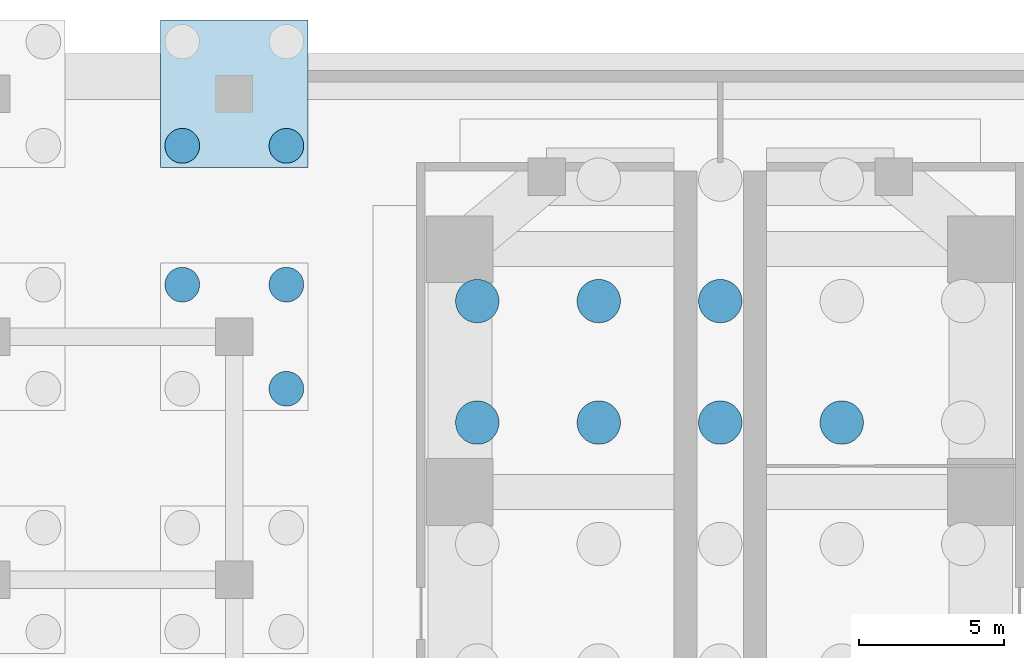
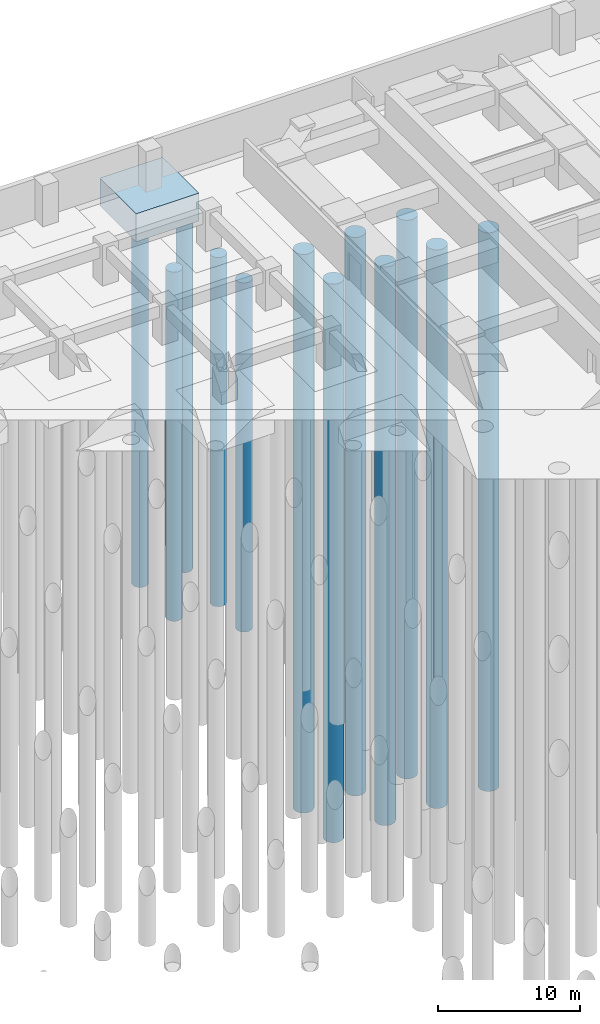
# One storey, part 39 of 73: 12 piles, 1 footing.
"""IFC4 building model written with IfcOpenShell, lengths in metres."""

from ifc_helpers import new_model, si_unit, direction, frame, origin, origin_2d, place, context, subcontext, project, spatial, polyline, circle, outline, extrude, material, material_profile, profile_set, type_object, element, save


model = new_model("IFC4")

# Units and contexts
model_context = context("Model", 3, precision=1e-05, world=origin(), true_north=direction((0.0, 1.0)))
body_context = subcontext(model_context, "Body", "Model", "MODEL_VIEW")
ifc_project = project(units=[si_unit("LENGTHUNIT", "METRE"), si_unit("AREAUNIT", "SQUARE_METRE"), si_unit("VOLUMEUNIT", "CUBIC_METRE"), si_unit("PLANEANGLEUNIT", "RADIAN"), si_unit("MASSUNIT", "GRAM", prefix="KILO")], contexts=[model_context])

# Site, building, storey
site_placement = place(None, origin())
site = spatial("IfcSite", under=ifc_project, at=site_placement, CompositionType="ELEMENT")
building_placement = place(site_placement, origin())
building = spatial("IfcBuilding", under=site, at=building_placement, Name="Impinga Residences", CompositionType="ELEMENT")
storey_placement = place(building_placement, frame((0.0, 0.0, -10.5)))
storey = spatial("IfcBuildingStorey", under=building, at=storey_placement, Name="B3", CompositionType="ELEMENT", Elevation=-10.5)

# Piles
ifc_material_1 = material(Name="Concrete C35/45", Category="concrete")
ifc_material_profile_1 = material_profile(ifc_material_1, circle(Radius=0.75, at=origin_2d()), Name="D1500")
ifc_profile_set_1 = profile_set([ifc_material_profile_1], Name="Concrete C35/45")
pile_type_1 = type_object("IfcPileType", Name="BP1 bored pile D1500", PredefinedType="BORED", material=ifc_profile_set_1)
pile_1_placement = place(storey_placement, frame((-8.39990234375, 39.031494140625, -4.0), z_axis=(0.0, 0.0, -1.0), x_axis=(1.0, 0.0, 0.0)))
element("IfcPile", 1, at=pile_1_placement, inside=storey, type_object=pile_type_1, Name="Raft pile BP1-139", PredefinedType="BORED", context=body_context, shape_type="SweptSolid", body=[
    extrude(outline(polyline([(0.75, 0.0), (0.746337890625, 0.073486328125), (0.735595703125, 0.146240234375), (0.7177734375, 0.2177734375), (0.69287109375, 0.287109375), (0.661376953125, 0.353515625), (0.62353515625, 0.416748046875), (0.579833984375, 0.475830078125), (0.5302734375, 0.5302734375), (0.475830078125, 0.579833984375), (0.416748046875, 0.62353515625), (0.353515625, 0.661376953125), (0.287109375, 0.69287109375), (0.2177734375, 0.7177734375), (0.146240234375, 0.735595703125), (0.073486328125, 0.746337890625), (0.0, 0.75), (-0.073486328125, 0.746337890625), (-0.146240234375, 0.735595703125), (-0.2177734375, 0.7177734375), (-0.287109375, 0.69287109375), (-0.353515625, 0.661376953125), (-0.416748046875, 0.62353515625), (-0.475830078125, 0.579833984375), (-0.5302734375, 0.5302734375), (-0.579833984375, 0.475830078125), (-0.62353515625, 0.416748046875), (-0.661376953125, 0.353515625), (-0.69287109375, 0.287109375), (-0.7177734375, 0.2177734375), (-0.735595703125, 0.146240234375), (-0.746337890625, 0.073486328125), (-0.75, 0.0), (-0.746337890625, -0.073486328125), (-0.735595703125, -0.146240234375), (-0.7177734375, -0.2177734375), (-0.69287109375, -0.287109375), (-0.661376953125, -0.353515625), (-0.62353515625, -0.416748046875), (-0.579833984375, -0.475830078125), (-0.5302734375, -0.5302734375), (-0.475830078125, -0.579833984375), (-0.416748046875, -0.62353515625), (-0.353515625, -0.661376953125), (-0.287109375, -0.69287109375), (-0.2177734375, -0.7177734375), (-0.146240234375, -0.735595703125), (-0.073486328125, -0.746337890625), (0.0, -0.75), (0.073486328125, -0.746337890625), (0.146240234375, -0.735595703125), (0.2177734375, -0.7177734375), (0.287109375, -0.69287109375), (0.353515625, -0.661376953125), (0.416748046875, -0.62353515625), (0.475830078125, -0.579833984375), (0.5302734375, -0.5302734375), (0.579833984375, -0.475830078125), (0.62353515625, -0.416748046875), (0.661376953125, -0.353515625), (0.69287109375, -0.287109375), (0.7177734375, -0.2177734375), (0.735595703125, -0.146240234375), (0.746337890625, -0.073486328125), (0.75, 0.0)])), origin(), (0.0, 0.0, 1.0), 48.0),
])
pile_2_placement = place(storey_placement, frame((-4.199951171875, 39.031494140625, -4.0), z_axis=(0.0, 0.0, -1.0), x_axis=(1.0, 0.0, 0.0)))
element("IfcPile", 2, at=pile_2_placement, inside=storey, type_object=pile_type_1, Name="Raft pile BP1-140", PredefinedType="BORED", context=body_context, shape_type="SweptSolid", body=[
    extrude(outline(polyline([(0.75, 0.0), (0.746337890625, 0.073486328125), (0.735595703125, 0.146240234375), (0.7177734375, 0.2177734375), (0.69287109375, 0.287109375), (0.661376953125, 0.353515625), (0.62353515625, 0.416748046875), (0.579833984375, 0.475830078125), (0.5302734375, 0.5302734375), (0.475830078125, 0.579833984375), (0.416748046875, 0.62353515625), (0.353515625, 0.661376953125), (0.287109375, 0.69287109375), (0.2177734375, 0.7177734375), (0.146240234375, 0.735595703125), (0.073486328125, 0.746337890625), (0.0, 0.75), (-0.073486328125, 0.746337890625), (-0.146240234375, 0.735595703125), (-0.2177734375, 0.7177734375), (-0.287109375, 0.69287109375), (-0.353515625, 0.661376953125), (-0.416748046875, 0.62353515625), (-0.475830078125, 0.579833984375), (-0.5302734375, 0.5302734375), (-0.579833984375, 0.475830078125), (-0.62353515625, 0.416748046875), (-0.661376953125, 0.353515625), (-0.69287109375, 0.287109375), (-0.7177734375, 0.2177734375), (-0.735595703125, 0.146240234375), (-0.746337890625, 0.073486328125), (-0.75, 0.0), (-0.746337890625, -0.073486328125), (-0.735595703125, -0.146240234375), (-0.7177734375, -0.2177734375), (-0.69287109375, -0.287109375), (-0.661376953125, -0.353515625), (-0.62353515625, -0.416748046875), (-0.579833984375, -0.475830078125), (-0.5302734375, -0.5302734375), (-0.475830078125, -0.579833984375), (-0.416748046875, -0.62353515625), (-0.353515625, -0.661376953125), (-0.287109375, -0.69287109375), (-0.2177734375, -0.7177734375), (-0.146240234375, -0.735595703125), (-0.073486328125, -0.746337890625), (0.0, -0.75), (0.073486328125, -0.746337890625), (0.146240234375, -0.735595703125), (0.2177734375, -0.7177734375), (0.287109375, -0.69287109375), (0.353515625, -0.661376953125), (0.416748046875, -0.62353515625), (0.475830078125, -0.579833984375), (0.5302734375, -0.5302734375), (0.579833984375, -0.475830078125), (0.62353515625, -0.416748046875), (0.661376953125, -0.353515625), (0.69287109375, -0.287109375), (0.7177734375, -0.2177734375), (0.735595703125, -0.146240234375), (0.746337890625, -0.073486328125), (0.75, 0.0)])), origin(), (0.0, 0.0, 1.0), 48.0),
])
pile_3_placement = place(storey_placement, frame((0.0, 39.031494140625, -4.0), z_axis=(0.0, 0.0, -1.0), x_axis=(1.0, 0.0, 0.0)))
element("IfcPile", 3, at=pile_3_placement, inside=storey, type_object=pile_type_1, Name="Raft pile BP1-141", PredefinedType="BORED", context=body_context, shape_type="SweptSolid", body=[
    extrude(outline(polyline([(0.75, 0.0), (0.746337890625, 0.073486328125), (0.735595703125, 0.146240234375), (0.7177734375, 0.2177734375), (0.69287109375, 0.287109375), (0.661376953125, 0.353515625), (0.62353515625, 0.416748046875), (0.579833984375, 0.475830078125), (0.5302734375, 0.5302734375), (0.475830078125, 0.579833984375), (0.416748046875, 0.62353515625), (0.353515625, 0.661376953125), (0.287109375, 0.69287109375), (0.2177734375, 0.7177734375), (0.146240234375, 0.735595703125), (0.073486328125, 0.746337890625), (0.0, 0.75), (-0.073486328125, 0.746337890625), (-0.146240234375, 0.735595703125), (-0.2177734375, 0.7177734375), (-0.287109375, 0.69287109375), (-0.353515625, 0.661376953125), (-0.416748046875, 0.62353515625), (-0.475830078125, 0.579833984375), (-0.5302734375, 0.5302734375), (-0.579833984375, 0.475830078125), (-0.62353515625, 0.416748046875), (-0.661376953125, 0.353515625), (-0.69287109375, 0.287109375), (-0.7177734375, 0.2177734375), (-0.735595703125, 0.146240234375), (-0.746337890625, 0.073486328125), (-0.75, 0.0), (-0.746337890625, -0.073486328125), (-0.735595703125, -0.146240234375), (-0.7177734375, -0.2177734375), (-0.69287109375, -0.287109375), (-0.661376953125, -0.353515625), (-0.62353515625, -0.416748046875), (-0.579833984375, -0.475830078125), (-0.5302734375, -0.5302734375), (-0.475830078125, -0.579833984375), (-0.416748046875, -0.62353515625), (-0.353515625, -0.661376953125), (-0.287109375, -0.69287109375), (-0.2177734375, -0.7177734375), (-0.146240234375, -0.735595703125), (-0.073486328125, -0.746337890625), (0.0, -0.75), (0.073486328125, -0.746337890625), (0.146240234375, -0.735595703125), (0.2177734375, -0.7177734375), (0.287109375, -0.69287109375), (0.353515625, -0.661376953125), (0.416748046875, -0.62353515625), (0.475830078125, -0.579833984375), (0.5302734375, -0.5302734375), (0.579833984375, -0.475830078125), (0.62353515625, -0.416748046875), (0.661376953125, -0.353515625), (0.69287109375, -0.287109375), (0.7177734375, -0.2177734375), (0.735595703125, -0.146240234375), (0.746337890625, -0.073486328125), (0.75, 0.0)])), origin(), (0.0, 0.0, 1.0), 48.0),
])
pile_4_placement = place(storey_placement, frame((4.199951171875, 39.031494140625, -4.0), z_axis=(0.0, 0.0, -1.0), x_axis=(1.0, 0.0, 0.0)))
element("IfcPile", 4, at=pile_4_placement, inside=storey, type_object=pile_type_1, Name="Raft pile BP1-142", PredefinedType="BORED", context=body_context, shape_type="SweptSolid", body=[
    extrude(outline(polyline([(0.75, 0.0), (0.746337890625, 0.073486328125), (0.735595703125, 0.146240234375), (0.7177734375, 0.2177734375), (0.69287109375, 0.287109375), (0.661376953125, 0.353515625), (0.62353515625, 0.416748046875), (0.579833984375, 0.475830078125), (0.5302734375, 0.5302734375), (0.475830078125, 0.579833984375), (0.416748046875, 0.62353515625), (0.353515625, 0.661376953125), (0.287109375, 0.69287109375), (0.2177734375, 0.7177734375), (0.146240234375, 0.735595703125), (0.073486328125, 0.746337890625), (0.0, 0.75), (-0.073486328125, 0.746337890625), (-0.146240234375, 0.735595703125), (-0.2177734375, 0.7177734375), (-0.287109375, 0.69287109375), (-0.353515625, 0.661376953125), (-0.416748046875, 0.62353515625), (-0.475830078125, 0.579833984375), (-0.5302734375, 0.5302734375), (-0.579833984375, 0.475830078125), (-0.62353515625, 0.416748046875), (-0.661376953125, 0.353515625), (-0.69287109375, 0.287109375), (-0.7177734375, 0.2177734375), (-0.735595703125, 0.146240234375), (-0.746337890625, 0.073486328125), (-0.75, 0.0), (-0.746337890625, -0.073486328125), (-0.735595703125, -0.146240234375), (-0.7177734375, -0.2177734375), (-0.69287109375, -0.287109375), (-0.661376953125, -0.353515625), (-0.62353515625, -0.416748046875), (-0.579833984375, -0.475830078125), (-0.5302734375, -0.5302734375), (-0.475830078125, -0.579833984375), (-0.416748046875, -0.62353515625), (-0.353515625, -0.661376953125), (-0.287109375, -0.69287109375), (-0.2177734375, -0.7177734375), (-0.146240234375, -0.735595703125), (-0.073486328125, -0.746337890625), (0.0, -0.75), (0.073486328125, -0.746337890625), (0.146240234375, -0.735595703125), (0.2177734375, -0.7177734375), (0.287109375, -0.69287109375), (0.353515625, -0.661376953125), (0.416748046875, -0.62353515625), (0.475830078125, -0.579833984375), (0.5302734375, -0.5302734375), (0.579833984375, -0.475830078125), (0.62353515625, -0.416748046875), (0.661376953125, -0.353515625), (0.69287109375, -0.287109375), (0.7177734375, -0.2177734375), (0.735595703125, -0.146240234375), (0.746337890625, -0.073486328125), (0.75, 0.0)])), origin(), (0.0, 0.0, 1.0), 48.0),
])
pile_5_placement = place(storey_placement, frame((-8.39990234375, 43.2314453125, -4.0), z_axis=(0.0, 0.0, -1.0), x_axis=(1.0, 0.0, 0.0)))
element("IfcPile", 5, at=pile_5_placement, inside=storey, type_object=pile_type_1, Name="Raft pile BP1-144", PredefinedType="BORED", context=body_context, shape_type="SweptSolid", body=[
    extrude(outline(polyline([(0.75, 0.0), (0.746337890625, 0.073486328125), (0.735595703125, 0.146240234375), (0.7177734375, 0.2177734375), (0.69287109375, 0.287109375), (0.661376953125, 0.353515625), (0.62353515625, 0.416748046875), (0.579833984375, 0.475830078125), (0.5302734375, 0.5302734375), (0.475830078125, 0.579833984375), (0.416748046875, 0.62353515625), (0.353515625, 0.661376953125), (0.287109375, 0.69287109375), (0.2177734375, 0.7177734375), (0.146240234375, 0.735595703125), (0.073486328125, 0.746337890625), (0.0, 0.75), (-0.073486328125, 0.746337890625), (-0.146240234375, 0.735595703125), (-0.2177734375, 0.7177734375), (-0.287109375, 0.69287109375), (-0.353515625, 0.661376953125), (-0.416748046875, 0.62353515625), (-0.475830078125, 0.579833984375), (-0.5302734375, 0.5302734375), (-0.579833984375, 0.475830078125), (-0.62353515625, 0.416748046875), (-0.661376953125, 0.353515625), (-0.69287109375, 0.287109375), (-0.7177734375, 0.2177734375), (-0.735595703125, 0.146240234375), (-0.746337890625, 0.073486328125), (-0.75, 0.0), (-0.746337890625, -0.073486328125), (-0.735595703125, -0.146240234375), (-0.7177734375, -0.2177734375), (-0.69287109375, -0.287109375), (-0.661376953125, -0.353515625), (-0.62353515625, -0.416748046875), (-0.579833984375, -0.475830078125), (-0.5302734375, -0.5302734375), (-0.475830078125, -0.579833984375), (-0.416748046875, -0.62353515625), (-0.353515625, -0.661376953125), (-0.287109375, -0.69287109375), (-0.2177734375, -0.7177734375), (-0.146240234375, -0.735595703125), (-0.073486328125, -0.746337890625), (0.0, -0.75), (0.073486328125, -0.746337890625), (0.146240234375, -0.735595703125), (0.2177734375, -0.7177734375), (0.287109375, -0.69287109375), (0.353515625, -0.661376953125), (0.416748046875, -0.62353515625), (0.475830078125, -0.579833984375), (0.5302734375, -0.5302734375), (0.579833984375, -0.475830078125), (0.62353515625, -0.416748046875), (0.661376953125, -0.353515625), (0.69287109375, -0.287109375), (0.7177734375, -0.2177734375), (0.735595703125, -0.146240234375), (0.746337890625, -0.073486328125), (0.75, 0.0)])), origin(), (0.0, 0.0, 1.0), 48.0),
])
pile_6_placement = place(storey_placement, frame((-4.199951171875, 43.2314453125, -4.0), z_axis=(0.0, 0.0, -1.0), x_axis=(1.0, 0.0, 0.0)))
element("IfcPile", 6, at=pile_6_placement, inside=storey, type_object=pile_type_1, Name="Raft pile BP1-145", PredefinedType="BORED", context=body_context, shape_type="SweptSolid", body=[
    extrude(outline(polyline([(0.75, 0.0), (0.746337890625, 0.073486328125), (0.735595703125, 0.146240234375), (0.7177734375, 0.2177734375), (0.69287109375, 0.287109375), (0.661376953125, 0.353515625), (0.62353515625, 0.416748046875), (0.579833984375, 0.475830078125), (0.5302734375, 0.5302734375), (0.475830078125, 0.579833984375), (0.416748046875, 0.62353515625), (0.353515625, 0.661376953125), (0.287109375, 0.69287109375), (0.2177734375, 0.7177734375), (0.146240234375, 0.735595703125), (0.073486328125, 0.746337890625), (0.0, 0.75), (-0.073486328125, 0.746337890625), (-0.146240234375, 0.735595703125), (-0.2177734375, 0.7177734375), (-0.287109375, 0.69287109375), (-0.353515625, 0.661376953125), (-0.416748046875, 0.62353515625), (-0.475830078125, 0.579833984375), (-0.5302734375, 0.5302734375), (-0.579833984375, 0.475830078125), (-0.62353515625, 0.416748046875), (-0.661376953125, 0.353515625), (-0.69287109375, 0.287109375), (-0.7177734375, 0.2177734375), (-0.735595703125, 0.146240234375), (-0.746337890625, 0.073486328125), (-0.75, 0.0), (-0.746337890625, -0.073486328125), (-0.735595703125, -0.146240234375), (-0.7177734375, -0.2177734375), (-0.69287109375, -0.287109375), (-0.661376953125, -0.353515625), (-0.62353515625, -0.416748046875), (-0.579833984375, -0.475830078125), (-0.5302734375, -0.5302734375), (-0.475830078125, -0.579833984375), (-0.416748046875, -0.62353515625), (-0.353515625, -0.661376953125), (-0.287109375, -0.69287109375), (-0.2177734375, -0.7177734375), (-0.146240234375, -0.735595703125), (-0.073486328125, -0.746337890625), (0.0, -0.75), (0.073486328125, -0.746337890625), (0.146240234375, -0.735595703125), (0.2177734375, -0.7177734375), (0.287109375, -0.69287109375), (0.353515625, -0.661376953125), (0.416748046875, -0.62353515625), (0.475830078125, -0.579833984375), (0.5302734375, -0.5302734375), (0.579833984375, -0.475830078125), (0.62353515625, -0.416748046875), (0.661376953125, -0.353515625), (0.69287109375, -0.287109375), (0.7177734375, -0.2177734375), (0.735595703125, -0.146240234375), (0.746337890625, -0.073486328125), (0.75, 0.0)])), origin(), (0.0, 0.0, 1.0), 48.0),
])
pile_7_placement = place(storey_placement, frame((0.0, 43.2314453125, -4.0), z_axis=(0.0, 0.0, -1.0), x_axis=(1.0, 0.0, 0.0)))
element("IfcPile", 7, at=pile_7_placement, inside=storey, type_object=pile_type_1, Name="Raft pile BP1-146", PredefinedType="BORED", context=body_context, shape_type="SweptSolid", body=[
    extrude(outline(polyline([(0.75, 0.0), (0.746337890625, 0.073486328125), (0.735595703125, 0.146240234375), (0.7177734375, 0.2177734375), (0.69287109375, 0.287109375), (0.661376953125, 0.353515625), (0.62353515625, 0.416748046875), (0.579833984375, 0.475830078125), (0.5302734375, 0.5302734375), (0.475830078125, 0.579833984375), (0.416748046875, 0.62353515625), (0.353515625, 0.661376953125), (0.287109375, 0.69287109375), (0.2177734375, 0.7177734375), (0.146240234375, 0.735595703125), (0.073486328125, 0.746337890625), (0.0, 0.75), (-0.073486328125, 0.746337890625), (-0.146240234375, 0.735595703125), (-0.2177734375, 0.7177734375), (-0.287109375, 0.69287109375), (-0.353515625, 0.661376953125), (-0.416748046875, 0.62353515625), (-0.475830078125, 0.579833984375), (-0.5302734375, 0.5302734375), (-0.579833984375, 0.475830078125), (-0.62353515625, 0.416748046875), (-0.661376953125, 0.353515625), (-0.69287109375, 0.287109375), (-0.7177734375, 0.2177734375), (-0.735595703125, 0.146240234375), (-0.746337890625, 0.073486328125), (-0.75, 0.0), (-0.746337890625, -0.073486328125), (-0.735595703125, -0.146240234375), (-0.7177734375, -0.2177734375), (-0.69287109375, -0.287109375), (-0.661376953125, -0.353515625), (-0.62353515625, -0.416748046875), (-0.579833984375, -0.475830078125), (-0.5302734375, -0.5302734375), (-0.475830078125, -0.579833984375), (-0.416748046875, -0.62353515625), (-0.353515625, -0.661376953125), (-0.287109375, -0.69287109375), (-0.2177734375, -0.7177734375), (-0.146240234375, -0.735595703125), (-0.073486328125, -0.746337890625), (0.0, -0.75), (0.073486328125, -0.746337890625), (0.146240234375, -0.735595703125), (0.2177734375, -0.7177734375), (0.287109375, -0.69287109375), (0.353515625, -0.661376953125), (0.416748046875, -0.62353515625), (0.475830078125, -0.579833984375), (0.5302734375, -0.5302734375), (0.579833984375, -0.475830078125), (0.62353515625, -0.416748046875), (0.661376953125, -0.353515625), (0.69287109375, -0.287109375), (0.7177734375, -0.2177734375), (0.735595703125, -0.146240234375), (0.746337890625, -0.073486328125), (0.75, 0.0)])), origin(), (0.0, 0.0, 1.0), 48.0),
])
ifc_material_profile_2 = material_profile(ifc_material_1, circle(Radius=0.60009765625, at=origin_2d()), Name="D1200")
ifc_profile_set_2 = profile_set([ifc_material_profile_2], Name="Concrete C35/45")
pile_type_2 = type_object("IfcPileType", Name="BP2 bored pile D1200", PredefinedType="BORED", material=ifc_profile_set_2)
pile_8_placement = place(storey_placement, frame((-15.0, 40.199951171875, -2.39990234375), z_axis=(0.0, 0.0, -1.0), x_axis=(1.0, 0.0, 0.0)))
element("IfcPile", 8, at=pile_8_placement, inside=storey, type_object=pile_type_2, Name="Cap pile BP2 5/L-2", PredefinedType="BORED", context=body_context, shape_type="SweptSolid", body=[
    extrude(outline(polyline([(0.60009765625, 0.0), (0.59716796875, 0.058837890625), (0.58837890625, 0.116943359375), (0.57421875, 0.174072265625), (0.554443359375, 0.2294921875), (0.529052734375, 0.282958984375), (0.498779296875, 0.333251953125), (0.4638671875, 0.380615234375), (0.42431640625, 0.42431640625), (0.380615234375, 0.4638671875), (0.333251953125, 0.498779296875), (0.282958984375, 0.529052734375), (0.2294921875, 0.554443359375), (0.174072265625, 0.57421875), (0.116943359375, 0.58837890625), (0.058837890625, 0.59716796875), (0.0, 0.60009765625), (-0.058837890625, 0.59716796875), (-0.116943359375, 0.58837890625), (-0.174072265625, 0.57421875), (-0.2294921875, 0.554443359375), (-0.282958984375, 0.529052734375), (-0.333251953125, 0.498779296875), (-0.380615234375, 0.4638671875), (-0.42431640625, 0.42431640625), (-0.4638671875, 0.380615234375), (-0.498779296875, 0.333251953125), (-0.529052734375, 0.282958984375), (-0.554443359375, 0.2294921875), (-0.57421875, 0.174072265625), (-0.58837890625, 0.116943359375), (-0.59716796875, 0.058837890625), (-0.60009765625, 0.0), (-0.59716796875, -0.058837890625), (-0.58837890625, -0.116943359375), (-0.57421875, -0.174072265625), (-0.554443359375, -0.2294921875), (-0.529052734375, -0.282958984375), (-0.498779296875, -0.333251953125), (-0.4638671875, -0.380615234375), (-0.42431640625, -0.42431640625), (-0.380615234375, -0.4638671875), (-0.333251953125, -0.498779296875), (-0.282958984375, -0.529052734375), (-0.2294921875, -0.554443359375), (-0.174072265625, -0.57421875), (-0.116943359375, -0.58837890625), (-0.058837890625, -0.59716796875), (0.0, -0.60009765625), (0.058837890625, -0.59716796875), (0.116943359375, -0.58837890625), (0.174072265625, -0.57421875), (0.2294921875, -0.554443359375), (0.282958984375, -0.529052734375), (0.333251953125, -0.498779296875), (0.380615234375, -0.4638671875), (0.42431640625, -0.42431640625), (0.4638671875, -0.380615234375), (0.498779296875, -0.333251953125), (0.529052734375, -0.282958984375), (0.554443359375, -0.2294921875), (0.57421875, -0.174072265625), (0.58837890625, -0.116943359375), (0.59716796875, -0.058837890625), (0.60009765625, 0.0)])), origin(), (0.0, 0.0, 1.0), 30.0),
])
pile_9_placement = place(storey_placement, frame((-15.0, 43.800048828125, -2.39990234375), z_axis=(0.0, 0.0, -1.0), x_axis=(1.0, 0.0, 0.0)))
element("IfcPile", 9, at=pile_9_placement, inside=storey, type_object=pile_type_2, Name="Cap pile BP2 5/L-3", PredefinedType="BORED", context=body_context, shape_type="SweptSolid", body=[
    extrude(outline(polyline([(0.60009765625, 0.0), (0.59716796875, 0.058837890625), (0.58837890625, 0.116943359375), (0.57421875, 0.174072265625), (0.554443359375, 0.2294921875), (0.529052734375, 0.282958984375), (0.498779296875, 0.333251953125), (0.4638671875, 0.380615234375), (0.42431640625, 0.42431640625), (0.380615234375, 0.4638671875), (0.333251953125, 0.498779296875), (0.282958984375, 0.529052734375), (0.2294921875, 0.554443359375), (0.174072265625, 0.57421875), (0.116943359375, 0.58837890625), (0.058837890625, 0.59716796875), (0.0, 0.60009765625), (-0.058837890625, 0.59716796875), (-0.116943359375, 0.58837890625), (-0.174072265625, 0.57421875), (-0.2294921875, 0.554443359375), (-0.282958984375, 0.529052734375), (-0.333251953125, 0.498779296875), (-0.380615234375, 0.4638671875), (-0.42431640625, 0.42431640625), (-0.4638671875, 0.380615234375), (-0.498779296875, 0.333251953125), (-0.529052734375, 0.282958984375), (-0.554443359375, 0.2294921875), (-0.57421875, 0.174072265625), (-0.58837890625, 0.116943359375), (-0.59716796875, 0.058837890625), (-0.60009765625, 0.0), (-0.59716796875, -0.058837890625), (-0.58837890625, -0.116943359375), (-0.57421875, -0.174072265625), (-0.554443359375, -0.2294921875), (-0.529052734375, -0.282958984375), (-0.498779296875, -0.333251953125), (-0.4638671875, -0.380615234375), (-0.42431640625, -0.42431640625), (-0.380615234375, -0.4638671875), (-0.333251953125, -0.498779296875), (-0.282958984375, -0.529052734375), (-0.2294921875, -0.554443359375), (-0.174072265625, -0.57421875), (-0.116943359375, -0.58837890625), (-0.058837890625, -0.59716796875), (0.0, -0.60009765625), (0.058837890625, -0.59716796875), (0.116943359375, -0.58837890625), (0.174072265625, -0.57421875), (0.2294921875, -0.554443359375), (0.282958984375, -0.529052734375), (0.333251953125, -0.498779296875), (0.380615234375, -0.4638671875), (0.42431640625, -0.42431640625), (0.4638671875, -0.380615234375), (0.498779296875, -0.333251953125), (0.529052734375, -0.282958984375), (0.554443359375, -0.2294921875), (0.57421875, -0.174072265625), (0.58837890625, -0.116943359375), (0.59716796875, -0.058837890625), (0.60009765625, 0.0)])), origin(), (0.0, 0.0, 1.0), 30.0),
])
pile_10_placement = place(storey_placement, frame((-18.60009765625, 43.800048828125, -2.39990234375), z_axis=(0.0, 0.0, -1.0), x_axis=(1.0, 0.0, 0.0)))
element("IfcPile", 10, at=pile_10_placement, inside=storey, type_object=pile_type_2, Name="Cap pile BP2 5/L-4", PredefinedType="BORED", context=body_context, shape_type="SweptSolid", body=[
    extrude(outline(polyline([(0.60009765625, 0.0), (0.59716796875, 0.058837890625), (0.58837890625, 0.116943359375), (0.57421875, 0.174072265625), (0.554443359375, 0.2294921875), (0.529052734375, 0.282958984375), (0.498779296875, 0.333251953125), (0.4638671875, 0.380615234375), (0.42431640625, 0.42431640625), (0.380615234375, 0.4638671875), (0.333251953125, 0.498779296875), (0.282958984375, 0.529052734375), (0.2294921875, 0.554443359375), (0.174072265625, 0.57421875), (0.116943359375, 0.58837890625), (0.058837890625, 0.59716796875), (0.0, 0.60009765625), (-0.058837890625, 0.59716796875), (-0.116943359375, 0.58837890625), (-0.174072265625, 0.57421875), (-0.2294921875, 0.554443359375), (-0.282958984375, 0.529052734375), (-0.333251953125, 0.498779296875), (-0.380615234375, 0.4638671875), (-0.42431640625, 0.42431640625), (-0.4638671875, 0.380615234375), (-0.498779296875, 0.333251953125), (-0.529052734375, 0.282958984375), (-0.554443359375, 0.2294921875), (-0.57421875, 0.174072265625), (-0.58837890625, 0.116943359375), (-0.59716796875, 0.058837890625), (-0.60009765625, 0.0), (-0.59716796875, -0.058837890625), (-0.58837890625, -0.116943359375), (-0.57421875, -0.174072265625), (-0.554443359375, -0.2294921875), (-0.529052734375, -0.282958984375), (-0.498779296875, -0.333251953125), (-0.4638671875, -0.380615234375), (-0.42431640625, -0.42431640625), (-0.380615234375, -0.4638671875), (-0.333251953125, -0.498779296875), (-0.282958984375, -0.529052734375), (-0.2294921875, -0.554443359375), (-0.174072265625, -0.57421875), (-0.116943359375, -0.58837890625), (-0.058837890625, -0.59716796875), (0.0, -0.60009765625), (0.058837890625, -0.59716796875), (0.116943359375, -0.58837890625), (0.174072265625, -0.57421875), (0.2294921875, -0.554443359375), (0.282958984375, -0.529052734375), (0.333251953125, -0.498779296875), (0.380615234375, -0.4638671875), (0.42431640625, -0.42431640625), (0.4638671875, -0.380615234375), (0.498779296875, -0.333251953125), (0.529052734375, -0.282958984375), (0.554443359375, -0.2294921875), (0.57421875, -0.174072265625), (0.58837890625, -0.116943359375), (0.59716796875, -0.058837890625), (0.60009765625, 0.0)])), origin(), (0.0, 0.0, 1.0), 30.0),
])
pile_11_placement = place(storey_placement, frame((-18.60009765625, 48.60009765625, -2.39990234375), z_axis=(0.0, 0.0, -1.0), x_axis=(1.0, 0.0, 0.0)))
element("IfcPile", 11, at=pile_11_placement, inside=storey, type_object=pile_type_2, Name="Cap pile BP2 5/M-1", PredefinedType="BORED", context=body_context, shape_type="SweptSolid", body=[
    extrude(outline(polyline([(0.60009765625, 0.0), (0.59716796875, 0.058837890625), (0.58837890625, 0.116943359375), (0.57421875, 0.174072265625), (0.554443359375, 0.2294921875), (0.529052734375, 0.282958984375), (0.498779296875, 0.333251953125), (0.4638671875, 0.380615234375), (0.42431640625, 0.42431640625), (0.380615234375, 0.4638671875), (0.333251953125, 0.498779296875), (0.282958984375, 0.529052734375), (0.2294921875, 0.554443359375), (0.174072265625, 0.57421875), (0.116943359375, 0.58837890625), (0.058837890625, 0.59716796875), (0.0, 0.60009765625), (-0.058837890625, 0.59716796875), (-0.116943359375, 0.58837890625), (-0.174072265625, 0.57421875), (-0.2294921875, 0.554443359375), (-0.282958984375, 0.529052734375), (-0.333251953125, 0.498779296875), (-0.380615234375, 0.4638671875), (-0.42431640625, 0.42431640625), (-0.4638671875, 0.380615234375), (-0.498779296875, 0.333251953125), (-0.529052734375, 0.282958984375), (-0.554443359375, 0.2294921875), (-0.57421875, 0.174072265625), (-0.58837890625, 0.116943359375), (-0.59716796875, 0.058837890625), (-0.60009765625, 0.0), (-0.59716796875, -0.058837890625), (-0.58837890625, -0.116943359375), (-0.57421875, -0.174072265625), (-0.554443359375, -0.2294921875), (-0.529052734375, -0.282958984375), (-0.498779296875, -0.333251953125), (-0.4638671875, -0.380615234375), (-0.42431640625, -0.42431640625), (-0.380615234375, -0.4638671875), (-0.333251953125, -0.498779296875), (-0.282958984375, -0.529052734375), (-0.2294921875, -0.554443359375), (-0.174072265625, -0.57421875), (-0.116943359375, -0.58837890625), (-0.058837890625, -0.59716796875), (0.0, -0.60009765625), (0.058837890625, -0.59716796875), (0.116943359375, -0.58837890625), (0.174072265625, -0.57421875), (0.2294921875, -0.554443359375), (0.282958984375, -0.529052734375), (0.333251953125, -0.498779296875), (0.380615234375, -0.4638671875), (0.42431640625, -0.42431640625), (0.4638671875, -0.380615234375), (0.498779296875, -0.333251953125), (0.529052734375, -0.282958984375), (0.554443359375, -0.2294921875), (0.57421875, -0.174072265625), (0.58837890625, -0.116943359375), (0.59716796875, -0.058837890625), (0.60009765625, 0.0)])), origin(), (0.0, 0.0, 1.0), 30.0),
])
pile_12_placement = place(storey_placement, frame((-15.0, 48.60009765625, -2.39990234375), z_axis=(0.0, 0.0, -1.0), x_axis=(1.0, 0.0, 0.0)))
element("IfcPile", 12, at=pile_12_placement, inside=storey, type_object=pile_type_2, Name="Cap pile BP2 5/M-2", PredefinedType="BORED", context=body_context, shape_type="SweptSolid", body=[
    extrude(outline(polyline([(0.60009765625, 0.0), (0.59716796875, 0.058837890625), (0.58837890625, 0.116943359375), (0.57421875, 0.174072265625), (0.554443359375, 0.2294921875), (0.529052734375, 0.282958984375), (0.498779296875, 0.333251953125), (0.4638671875, 0.380615234375), (0.42431640625, 0.42431640625), (0.380615234375, 0.4638671875), (0.333251953125, 0.498779296875), (0.282958984375, 0.529052734375), (0.2294921875, 0.554443359375), (0.174072265625, 0.57421875), (0.116943359375, 0.58837890625), (0.058837890625, 0.59716796875), (0.0, 0.60009765625), (-0.058837890625, 0.59716796875), (-0.116943359375, 0.58837890625), (-0.174072265625, 0.57421875), (-0.2294921875, 0.554443359375), (-0.282958984375, 0.529052734375), (-0.333251953125, 0.498779296875), (-0.380615234375, 0.4638671875), (-0.42431640625, 0.42431640625), (-0.4638671875, 0.380615234375), (-0.498779296875, 0.333251953125), (-0.529052734375, 0.282958984375), (-0.554443359375, 0.2294921875), (-0.57421875, 0.174072265625), (-0.58837890625, 0.116943359375), (-0.59716796875, 0.058837890625), (-0.60009765625, 0.0), (-0.59716796875, -0.058837890625), (-0.58837890625, -0.116943359375), (-0.57421875, -0.174072265625), (-0.554443359375, -0.2294921875), (-0.529052734375, -0.282958984375), (-0.498779296875, -0.333251953125), (-0.4638671875, -0.380615234375), (-0.42431640625, -0.42431640625), (-0.380615234375, -0.4638671875), (-0.333251953125, -0.498779296875), (-0.282958984375, -0.529052734375), (-0.2294921875, -0.554443359375), (-0.174072265625, -0.57421875), (-0.116943359375, -0.58837890625), (-0.058837890625, -0.59716796875), (0.0, -0.60009765625), (0.058837890625, -0.59716796875), (0.116943359375, -0.58837890625), (0.174072265625, -0.57421875), (0.2294921875, -0.554443359375), (0.282958984375, -0.529052734375), (0.333251953125, -0.498779296875), (0.380615234375, -0.4638671875), (0.42431640625, -0.42431640625), (0.4638671875, -0.380615234375), (0.498779296875, -0.333251953125), (0.529052734375, -0.282958984375), (0.554443359375, -0.2294921875), (0.57421875, -0.174072265625), (0.58837890625, -0.116943359375), (0.59716796875, -0.058837890625), (0.60009765625, 0.0)])), origin(), (0.0, 0.0, 1.0), 30.0),
])

# Footing
ifc_material_2 = material(Name="Concrete C45/55", Category="concrete")
footing_type = type_object("IfcFootingType", Name="PC4 four-pile cap 5100 square 2400 deep", PredefinedType="PILE_CAP", material=ifc_material_2)
footing_placement = place(storey_placement, frame((0.0, 0.0, -2.39990234375)))
element("IfcFooting", 13, at=footing_placement, inside=storey, type_object=footing_type, Name="Pile cap PC4 5/M", PredefinedType="PILE_CAP", context=body_context, shape_type="SweptSolid", body=[
    extrude(outline(polyline([(-14.25, 47.85009765625), (-14.25, 52.949951171875), (-19.35009765625, 52.949951171875), (-19.35009765625, 47.85009765625), (-14.25, 47.85009765625)])), origin(), (0.0, 0.0, 1.0), 2.39990234375),
])

save(model, "model.ifc")
